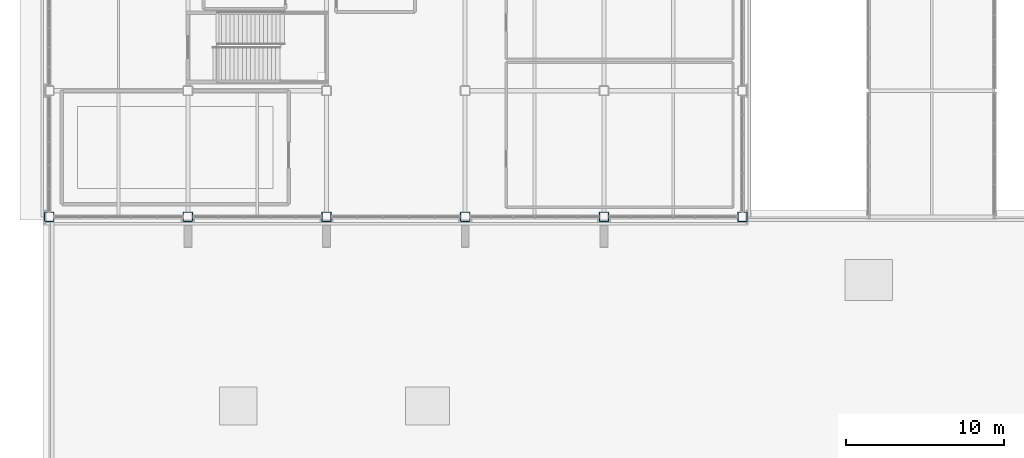
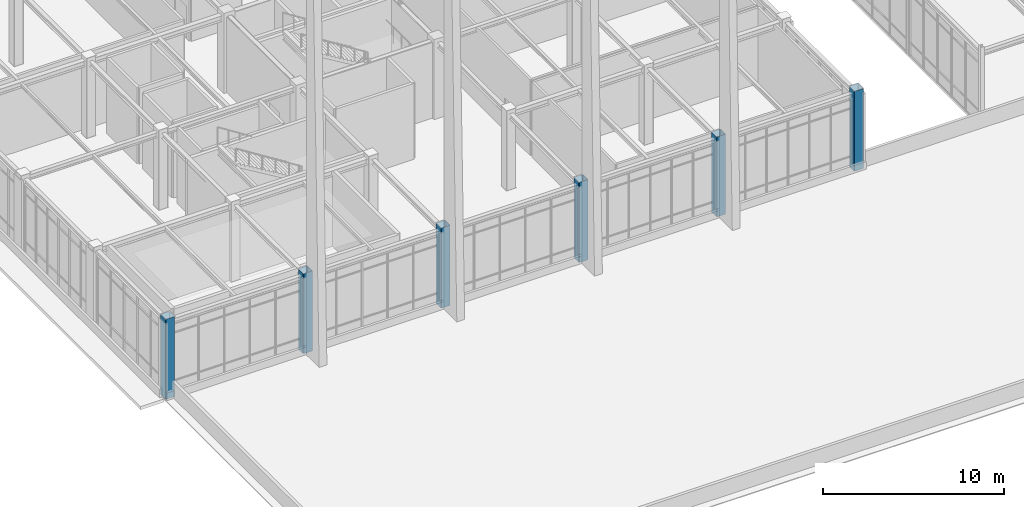
# One storey, part 1 of 108: 6 columns.
"""IFC4 building model written with IfcOpenShell, lengths in metres."""

from ifc_helpers import new_model, si_unit, direction, frame, origin, origin_2d, place, context, subcontext, project, spatial, hollow_rectangle, extrude, material, material_profile, profile_set, type_object, element, save


model = new_model("IFC4")

# Units and contexts
model_context = context("Model", 3, precision=1e-05, world=origin(), true_north=direction((0.0, 1.0)))
body_context = subcontext(model_context, "Body", "Model", "MODEL_VIEW")
ifc_project = project(units=[si_unit("LENGTHUNIT", "METRE"), si_unit("AREAUNIT", "SQUARE_METRE"), si_unit("VOLUMEUNIT", "CUBIC_METRE"), si_unit("PLANEANGLEUNIT", "RADIAN"), si_unit("MASSUNIT", "GRAM", prefix="KILO")], contexts=[model_context])

# Site, building, storey
site_placement = place(None, origin())
site = spatial("IfcSite", under=ifc_project, at=site_placement, CompositionType="ELEMENT")
building_placement = place(site_placement, origin())
building = spatial("IfcBuilding", under=site, at=building_placement, Name="Zhaolan Boulevard Law Courts", CompositionType="ELEMENT")
storey_placement = place(building_placement, frame((0.0, 0.0, 10.800048828125)))
storey = spatial("IfcBuildingStorey", under=building, at=storey_placement, Name="L02", CompositionType="ELEMENT", Elevation=10.800048828125)

# Columns
ifc_material = material(Name="Structural steel Q390B", Category="steel")
ifc_material_profile = material_profile(ifc_material, hollow_rectangle(XDim=0.60009765625, YDim=0.60009765625, WallThickness=0.02392578125, InnerFilletRadius=0.02392578125, OuterFilletRadius=0.048095703125, at=origin_2d()), Name="BOX600x600x24")
ifc_profile_set = profile_set([ifc_material_profile], Name="Structural steel Q390B")
column_type = type_object("IfcColumnType", Name="COL BOX600", PredefinedType="COLUMN", material=ifc_profile_set)
for number, where, z_axis, x_axis, name in (
    (1, (0.0, 30.0, 0.0), (0.0, 0.0, 1.0), (1.0, 0.0, 0.0), "Column C-1E (L02)"),
    (2, (8.800048828125, 30.0, 0.0), (0.0, 0.0, 1.0), (1.0, 0.0, 0.0), "Column C-2E (L02)"),
    (3, (17.60009765625, 30.0, 0.0), (0.0, 0.0, 1.0), (1.0, 0.0, 0.0), "Column C-3E (L02)"),
    (4, (26.39990234375, 30.0, 0.0), (0.0, 0.0, 1.0), (1.0, 0.0, 0.0), "Column C-4E (L02)"),
    (5, (35.199951171875, 30.0, 0.0), (0.0, 0.0, 1.0), (1.0, 0.0, 0.0), "Column C-5E (L02)"),
    (6, (44.0, 30.0, 0.0), (0.0, 0.0, 1.0), (1.0, 0.0, 0.0), "Column C-6E (L02)"),
):
    element("IfcColumn", number, at=place(storey_placement, frame(where, z_axis=z_axis, x_axis=x_axis)), inside=storey, type_object=column_type, Name=name, PredefinedType="COLUMN", context=body_context, shape_type="SweptSolid", body=[
        extrude(hollow_rectangle(XDim=0.60009765625, YDim=0.60009765625, WallThickness=0.02392578125, InnerFilletRadius=0.02392578125, OuterFilletRadius=0.048095703125, at=origin_2d()), origin(), (0.0, 0.0, 1.0), 5.39990234375),
    ])

save(model, "model.ifc")
